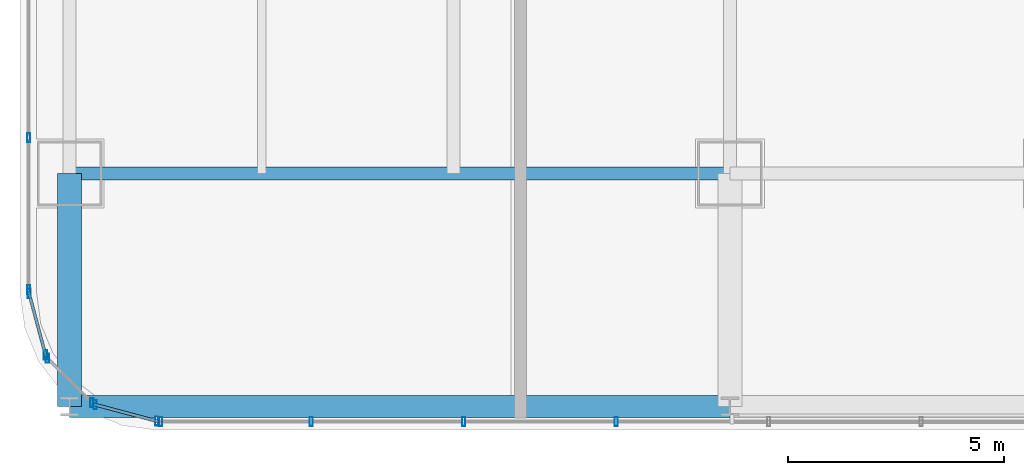
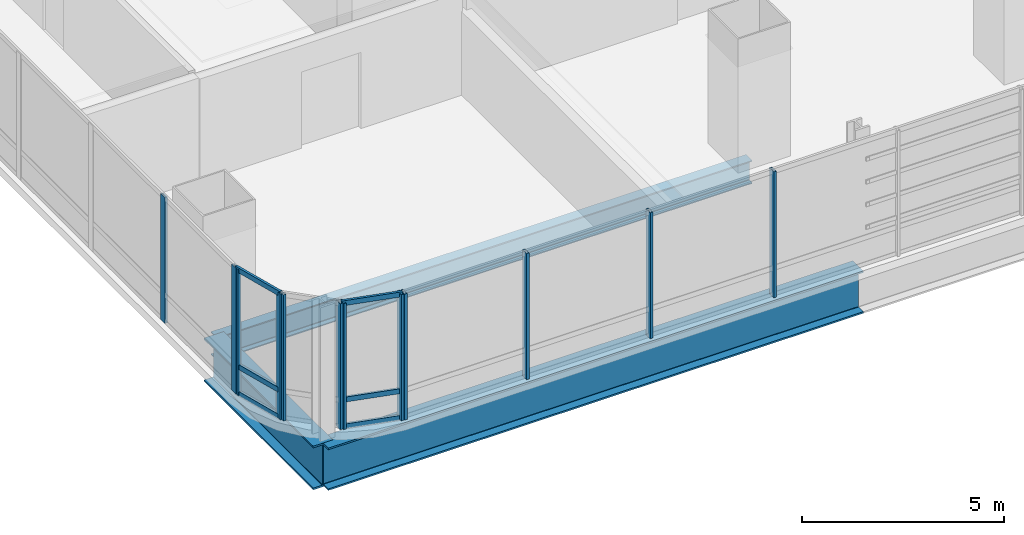
# One storey, part 2 of 34: 18 members, 3 beams, 5 elements without a shape of their own.
"""IFC4 building model written with IfcOpenShell, lengths in metres."""

from ifc_helpers import new_model, si_unit, direction, frame, origin, origin_2d, place, context, subcontext, project, spatial, hollow_rectangle, i_section, extrude, material, material_profile, profile_set, type_object, element, aggregate, save


model = new_model("IFC4")

# Units and contexts
model_context = context("Model", 3, precision=1e-05, world=origin(), true_north=direction((0.0, 1.0)))
body_context = subcontext(model_context, "Body", "Model", "MODEL_VIEW")
ifc_project = project(units=[si_unit("LENGTHUNIT", "METRE"), si_unit("AREAUNIT", "SQUARE_METRE"), si_unit("VOLUMEUNIT", "CUBIC_METRE"), si_unit("PLANEANGLEUNIT", "RADIAN"), si_unit("MASSUNIT", "GRAM", prefix="KILO")], contexts=[model_context])

# Site, building, storey
site_placement = place(None, origin())
site = spatial("IfcSite", under=ifc_project, at=site_placement, CompositionType="ELEMENT")
building_placement = place(site_placement, origin())
building = spatial("IfcBuilding", under=site, at=building_placement, Name="Punatoya Terracotta Tower", CompositionType="ELEMENT")
storey_placement = place(building_placement, frame((0.0, 0.0, 80.85009765625)))
storey = spatial("IfcBuildingStorey", under=building, at=storey_placement, Name="L18", CompositionType="ELEMENT", Elevation=80.85009765625)

# Beams
ifc_material_1 = material(Name="Steel S355", Category="steel")
ifc_material_profile_1 = material_profile(ifc_material_1, i_section(OverallWidth=0.300048828125, OverallDepth=0.699951171875, WebThickness=0.01708984375, FlangeThickness=0.031982421875, FilletRadius=0.01806640625, at=origin_2d()))
ifc_profile_set_1 = profile_set([ifc_material_profile_1], Name="Steel S355")
beam_type_1 = type_object("IfcBeamType", Name="BM-PRI-700", PredefinedType="BEAM", material=ifc_profile_set_1)
beam_1_placement = place(storey_placement, frame((-19.10009765625, -17.5, -0.590087890625), z_axis=(1.0, 0.0, 0.0), x_axis=(0.0, 1.0, 0.0)))
element("IfcBeam", 1, at=beam_1_placement, inside=storey, type_object=beam_type_1, Name="BM-L18-RG-S1", PredefinedType="BEAM", context=body_context, shape_type="SweptSolid", body=[
    extrude(i_section(OverallWidth=0.300048828125, OverallDepth=0.699951171875, WebThickness=0.01708984375, FlangeThickness=0.031982421875, FilletRadius=0.01806640625, at=origin_2d()), origin(), (0.0, 0.0, 1.0), 15.300048828125),
])
ifc_material_2 = material(Name="Steel S460", Category="steel")
ifc_material_profile_2 = material_profile(ifc_material_2, i_section(OverallWidth=0.56005859375, OverallDepth=1.320068359375, WebThickness=0.035888671875, FlangeThickness=0.054931640625, FilletRadius=0.01806640625, at=origin_2d()))
ifc_profile_set_2 = profile_set([ifc_material_profile_2], Name="Steel S460")
beam_type_2 = type_object("IfcBeamType", Name="BM-TG-BLK", PredefinedType="BEAM", material=ifc_profile_set_2)
beam_2_placement = place(storey_placement, frame((-19.10009765625, -22.89990234375, -0.900146484375), z_axis=(0.0, 1.0, 0.0), x_axis=(-1.0, 0.0, 0.0)))
element("IfcBeam", 2, at=beam_2_placement, inside=storey, type_object=beam_type_2, Name="BM-L18-CANT-S1", PredefinedType="BEAM", context=body_context, shape_type="SweptSolid", body=[
    extrude(i_section(OverallWidth=0.56005859375, OverallDepth=1.320068359375, WebThickness=0.035888671875, FlangeThickness=0.054931640625, FilletRadius=0.01806640625, at=origin_2d()), origin(), (0.0, 0.0, 1.0), 5.39990234375),
])
ifc_material_profile_3 = material_profile(ifc_material_2, i_section(OverallWidth=0.52001953125, OverallDepth=1.280029296875, WebThickness=0.031982421875, FlangeThickness=0.050048828125, FilletRadius=0.01806640625, at=origin_2d()))
ifc_profile_set_3 = profile_set([ifc_material_profile_3], Name="Steel S460")
beam_type_3 = type_object("IfcBeamType", Name="BM-TG-NCK", PredefinedType="BEAM", material=ifc_profile_set_3)
beam_3_placement = place(storey_placement, frame((-19.10009765625, -22.89990234375, -0.880126953125), z_axis=(1.0, 0.0, 0.0), x_axis=(0.0, 1.0, 0.0)))
element("IfcBeam", 3, at=beam_3_placement, inside=storey, type_object=beam_type_3, Name="BM-L18-PER-S1", PredefinedType="BEAM", context=body_context, shape_type="SweptSolid", body=[
    extrude(i_section(OverallWidth=0.52001953125, OverallDepth=1.280029296875, WebThickness=0.031982421875, FlangeThickness=0.050048828125, FilletRadius=0.01806640625, at=origin_2d()), origin(), (0.0, 0.0, 1.0), 15.300048828125),
])

# Curtain wall, members
ifc_material_3 = material(Name="Aluminium 6063-T6 + Double Low-E Glass", Category="aluminium")
curtain_wall_type = type_object("IfcCurtainWallType", Name="CW-M1", PredefinedType="NOTDEFINED", material=ifc_material_3)
curtain_wall_1_placement = place(storey_placement, origin())
curtain_wall_1 = element("IfcCurtainWall", 4, at=curtain_wall_1_placement, inside=storey, type_object=curtain_wall_type, Name="L18 Curtain Wall CW-L18-S01-1", PredefinedType="NOTDEFINED")
ifc_material_4 = material(Name="Aluminium 6063-T6", Category="aluminium")
ifc_material_profile_4 = material_profile(ifc_material_4, hollow_rectangle(XDim=0.074951171875, YDim=0.2099609375, WallThickness=0.00439453125, at=origin_2d()))
ifc_profile_set_4 = profile_set([ifc_material_profile_4], Name="Aluminium 6063-T6")
member_type_1 = type_object("IfcMemberType", Name="CW-MUL-M1", PredefinedType="MULLION", material=ifc_profile_set_4)
member_1_placement = place(storey_placement, frame((-16.991943359375, -23.25, 0.0), z_axis=(0.0, 0.0, 1.0), x_axis=(1.0, 0.0, 0.0)))
member_1 = element("IfcMember", 5, at=member_1_placement, type_object=member_type_1, Name="CW-L18-S01-1 Mullion 00", PredefinedType="MULLION", context=body_context, shape_type="SweptSolid", body=[
    extrude(hollow_rectangle(XDim=0.074951171875, YDim=0.2099609375, WallThickness=0.00439453125, at=origin_2d()), origin(), (0.0, 0.0, 1.0), 3.809814453125),
])
member_2_placement = place(storey_placement, frame((-13.5029296875, -23.25, 0.0), z_axis=(0.0, 0.0, 1.0), x_axis=(1.0, 0.0, 0.0)))
member_2 = element("IfcMember", 6, at=member_2_placement, type_object=member_type_1, Name="CW-L18-S01-1 Mullion 01", PredefinedType="MULLION", context=body_context, shape_type="SweptSolid", body=[
    extrude(hollow_rectangle(XDim=0.074951171875, YDim=0.2099609375, WallThickness=0.00439453125, at=origin_2d()), origin(), (0.0, 0.0, 1.0), 3.809814453125),
])
member_3_placement = place(storey_placement, frame((-9.968994140625, -23.25, 0.0), z_axis=(0.0, 0.0, 1.0), x_axis=(1.0, 0.0, 0.0)))
member_3 = element("IfcMember", 7, at=member_3_placement, type_object=member_type_1, Name="CW-L18-S01-1 Mullion 02", PredefinedType="MULLION", context=body_context, shape_type="SweptSolid", body=[
    extrude(hollow_rectangle(XDim=0.074951171875, YDim=0.2099609375, WallThickness=0.00439453125, at=origin_2d()), origin(), (0.0, 0.0, 1.0), 3.809814453125),
])
member_4_placement = place(storey_placement, frame((-6.43505859375, -23.25, 0.0), z_axis=(0.0, 0.0, 1.0), x_axis=(1.0, 0.0, 0.0)))
member_4 = element("IfcMember", 8, at=member_4_placement, type_object=member_type_1, Name="CW-L18-S01-1 Mullion 03", PredefinedType="MULLION", context=body_context, shape_type="SweptSolid", body=[
    extrude(hollow_rectangle(XDim=0.074951171875, YDim=0.2099609375, WallThickness=0.00439453125, at=origin_2d()), origin(), (0.0, 0.0, 1.0), 3.809814453125),
])
aggregate(curtain_wall_1, [member_1, member_2, member_3, member_4])

curtain_wall_2_placement = place(storey_placement, origin())
curtain_wall_2 = element("IfcCurtainWall", 9, at=curtain_wall_2_placement, inside=storey, type_object=curtain_wall_type, Name="L18 Curtain Wall CW-L18-W13-1", PredefinedType="NOTDEFINED")
member_5_placement = place(storey_placement, frame((-20.050048828125, -16.66943359375, 0.0), z_axis=(0.0, 0.0, 1.0), x_axis=(1.0, 0.0, 0.0)))
member_5 = element("IfcMember", 10, at=member_5_placement, type_object=member_type_1, Name="CW-L18-W13-1 Mullion 09", PredefinedType="MULLION", context=body_context, shape_type="SweptSolid", body=[
    extrude(hollow_rectangle(XDim=0.074951171875, YDim=0.2099609375, WallThickness=0.00439453125, at=origin_2d()), origin(), (0.0, 0.0, 1.0), 3.809814453125),
])
member_6_placement = place(storey_placement, frame((-20.050048828125, -20.19189453125, 0.0), z_axis=(0.0, 0.0, 1.0), x_axis=(1.0, 0.0, 0.0)))
member_6 = element("IfcMember", 11, at=member_6_placement, type_object=member_type_1, Name="CW-L18-W13-1 Mullion 10", PredefinedType="MULLION", context=body_context, shape_type="SweptSolid", body=[
    extrude(hollow_rectangle(XDim=0.074951171875, YDim=0.2099609375, WallThickness=0.00439453125, at=origin_2d()), origin(), (0.0, 0.0, 1.0), 3.809814453125),
])
aggregate(curtain_wall_2, [member_5, member_6])

curtain_wall_3_placement = place(storey_placement, origin())
curtain_wall_3 = element("IfcCurtainWall", 12, at=curtain_wall_3_placement, inside=storey, type_object=curtain_wall_type, Name="L18 Curtain Wall CW-L18-CRN14", PredefinedType="NOTDEFINED")
member_7_placement = place(storey_placement, frame((-20.038330078125, -20.280517578125, 0.0), z_axis=(0.0, 0.0, 1.0), x_axis=(1.0, 0.0, 0.0)))
member_7 = element("IfcMember", 13, at=member_7_placement, type_object=member_type_1, Name="CW-L18-CRN14 Mullion 00", PredefinedType="MULLION", context=body_context, shape_type="SweptSolid", body=[
    extrude(hollow_rectangle(XDim=0.074951171875, YDim=0.2099609375, WallThickness=0.00439453125, at=origin_2d()), origin(), (0.0, 0.0, 1.0), 3.809814453125),
])
member_8_placement = place(storey_placement, frame((-19.658203125, -21.70556640625, 0.0), z_axis=(0.0, 0.0, 1.0), x_axis=(1.0, 0.0, 0.0)))
member_8 = element("IfcMember", 14, at=member_8_placement, type_object=member_type_1, Name="CW-L18-CRN14 Mullion 01", PredefinedType="MULLION", context=body_context, shape_type="SweptSolid", body=[
    extrude(hollow_rectangle(XDim=0.074951171875, YDim=0.2099609375, WallThickness=0.00439453125, at=origin_2d()), origin(), (0.0, 0.0, 1.0), 3.809814453125),
])

curtain_wall_4_placement = place(storey_placement, origin())
curtain_wall_4 = element("IfcCurtainWall", 15, at=curtain_wall_4_placement, inside=storey, type_object=curtain_wall_type, Name="L18 Curtain Wall CW-L18-CRN15", PredefinedType="NOTDEFINED")
member_9_placement = place(storey_placement, frame((-19.61474609375, -21.781005859375, 0.0), z_axis=(0.0, 0.0, 1.0), x_axis=(1.0, 0.0, 0.0)))
member_9 = element("IfcMember", 16, at=member_9_placement, type_object=member_type_1, Name="CW-L18-CRN15 Mullion 00", PredefinedType="MULLION", context=body_context, shape_type="SweptSolid", body=[
    extrude(hollow_rectangle(XDim=0.074951171875, YDim=0.2099609375, WallThickness=0.00439453125, at=origin_2d()), origin(), (0.0, 0.0, 1.0), 3.809814453125),
])
member_10_placement = place(storey_placement, frame((-18.580810546875, -22.814697265625, 0.0), z_axis=(0.0, 0.0, 1.0), x_axis=(1.0, 0.0, 0.0)))
member_10 = element("IfcMember", 17, at=member_10_placement, type_object=member_type_1, Name="CW-L18-CRN15 Mullion 01", PredefinedType="MULLION", context=body_context, shape_type="SweptSolid", body=[
    extrude(hollow_rectangle(XDim=0.074951171875, YDim=0.2099609375, WallThickness=0.00439453125, at=origin_2d()), origin(), (0.0, 0.0, 1.0), 3.809814453125),
])
aggregate(curtain_wall_4, [member_9, member_10])

curtain_wall_5_placement = place(storey_placement, origin())
curtain_wall_5 = element("IfcCurtainWall", 18, at=curtain_wall_5_placement, inside=storey, type_object=curtain_wall_type, Name="L18 Curtain Wall CW-L18-CRN16", PredefinedType="NOTDEFINED")
member_11_placement = place(storey_placement, frame((-18.505615234375, -22.858154296875, 0.0), z_axis=(0.0, 0.0, 1.0), x_axis=(1.0, 0.0, 0.0)))
member_11 = element("IfcMember", 19, at=member_11_placement, type_object=member_type_1, Name="CW-L18-CRN16 Mullion 00", PredefinedType="MULLION", context=body_context, shape_type="SweptSolid", body=[
    extrude(hollow_rectangle(XDim=0.074951171875, YDim=0.2099609375, WallThickness=0.00439453125, at=origin_2d()), origin(), (0.0, 0.0, 1.0), 3.809814453125),
])
member_12_placement = place(storey_placement, frame((-17.080322265625, -23.23828125, 0.0), z_axis=(0.0, 0.0, 1.0), x_axis=(1.0, 0.0, 0.0)))
member_12 = element("IfcMember", 20, at=member_12_placement, type_object=member_type_1, Name="CW-L18-CRN16 Mullion 01", PredefinedType="MULLION", context=body_context, shape_type="SweptSolid", body=[
    extrude(hollow_rectangle(XDim=0.074951171875, YDim=0.2099609375, WallThickness=0.00439453125, at=origin_2d()), origin(), (0.0, 0.0, 1.0), 3.809814453125),
])

# Member
ifc_material_profile_5 = material_profile(ifc_material_4, hollow_rectangle(XDim=0.068115234375, YDim=0.14990234375, WallThickness=0.00390625, at=origin_2d()))
ifc_profile_set_5 = profile_set([ifc_material_profile_5], Name="Aluminium 6063-T6")
member_type_2 = type_object("IfcMemberType", Name="CW-TRN-TYP", PredefinedType="USERDEFINED", material=ifc_profile_set_5)
member_13_placement = place(storey_placement, frame((-20.050048828125, -20.23681640625, 0.039794921875), z_axis=(0.257847112249, -0.966185730957, 0.0), x_axis=(0.966185730957, 0.257847112249, 0.0)))
member_13 = element("IfcMember", 21, at=member_13_placement, type_object=member_type_2, Name="CW-L18-CRN14 Transom 1", ObjectType="TRANSOM", PredefinedType="USERDEFINED", context=body_context, shape_type="SweptSolid", body=[
    extrude(hollow_rectangle(XDim=0.068115234375, YDim=0.14990234375, WallThickness=0.00390625, at=origin_2d()), origin(), (0.0, 0.0, 1.0), 1.565185546875),
])

member_14_placement = place(storey_placement, frame((-20.050048828125, -20.23681640625, 0.849853515625), z_axis=(0.257847112249, -0.966185730957, 0.0), x_axis=(0.966185730957, 0.257847112249, 0.0)))
member_14 = element("IfcMember", 22, at=member_14_placement, type_object=member_type_2, Name="CW-L18-CRN14 Transom 2", ObjectType="TRANSOM", PredefinedType="USERDEFINED", context=body_context, shape_type="SweptSolid", body=[
    extrude(hollow_rectangle(XDim=0.068115234375, YDim=0.14990234375, WallThickness=0.00390625, at=origin_2d()), origin(), (0.0, 0.0, 1.0), 1.565185546875),
])

member_15_placement = place(storey_placement, frame((-20.050048828125, -20.23681640625, 3.77001953125), z_axis=(0.257847112249, -0.966185730957, 0.0), x_axis=(0.966185730957, 0.257847112249, 0.0)))
member_15 = element("IfcMember", 23, at=member_15_placement, type_object=member_type_2, Name="CW-L18-CRN14 Transom 3", ObjectType="TRANSOM", PredefinedType="USERDEFINED", context=body_context, shape_type="SweptSolid", body=[
    extrude(hollow_rectangle(XDim=0.068115234375, YDim=0.14990234375, WallThickness=0.00390625, at=origin_2d()), origin(), (0.0, 0.0, 1.0), 1.565185546875),
])

aggregate(curtain_wall_3, [member_7, member_8, member_13, member_14, member_15])

member_16_placement = place(storey_placement, frame((-18.549072265625, -22.8466796875, 0.039794921875), z_axis=(0.966224582397, -0.257701486942, 0.0), x_axis=(0.257701486942, 0.966224582397, 0.0)))
member_16 = element("IfcMember", 24, at=member_16_placement, type_object=member_type_2, Name="CW-L18-CRN16 Transom 1", ObjectType="TRANSOM", PredefinedType="USERDEFINED", context=body_context, shape_type="SweptSolid", body=[
    extrude(hollow_rectangle(XDim=0.068115234375, YDim=0.14990234375, WallThickness=0.00390625, at=origin_2d()), origin(), (0.0, 0.0, 1.0), 1.565185546875),
])

member_17_placement = place(storey_placement, frame((-18.549072265625, -22.8466796875, 0.849853515625), z_axis=(0.966224582397, -0.257701486942, 0.0), x_axis=(0.257701486942, 0.966224582397, 0.0)))
member_17 = element("IfcMember", 25, at=member_17_placement, type_object=member_type_2, Name="CW-L18-CRN16 Transom 2", ObjectType="TRANSOM", PredefinedType="USERDEFINED", context=body_context, shape_type="SweptSolid", body=[
    extrude(hollow_rectangle(XDim=0.068115234375, YDim=0.14990234375, WallThickness=0.00390625, at=origin_2d()), origin(), (0.0, 0.0, 1.0), 1.565185546875),
])

member_18_placement = place(storey_placement, frame((-18.549072265625, -22.8466796875, 3.77001953125), z_axis=(0.966224582397, -0.257701486942, 0.0), x_axis=(0.257701486942, 0.966224582397, 0.0)))
member_18 = element("IfcMember", 26, at=member_18_placement, type_object=member_type_2, Name="CW-L18-CRN16 Transom 3", ObjectType="TRANSOM", PredefinedType="USERDEFINED", context=body_context, shape_type="SweptSolid", body=[
    extrude(hollow_rectangle(XDim=0.068115234375, YDim=0.14990234375, WallThickness=0.00390625, at=origin_2d()), origin(), (0.0, 0.0, 1.0), 1.565185546875),
])

aggregate(curtain_wall_5, [member_11, member_12, member_16, member_17, member_18])

save(model, "model.ifc")
